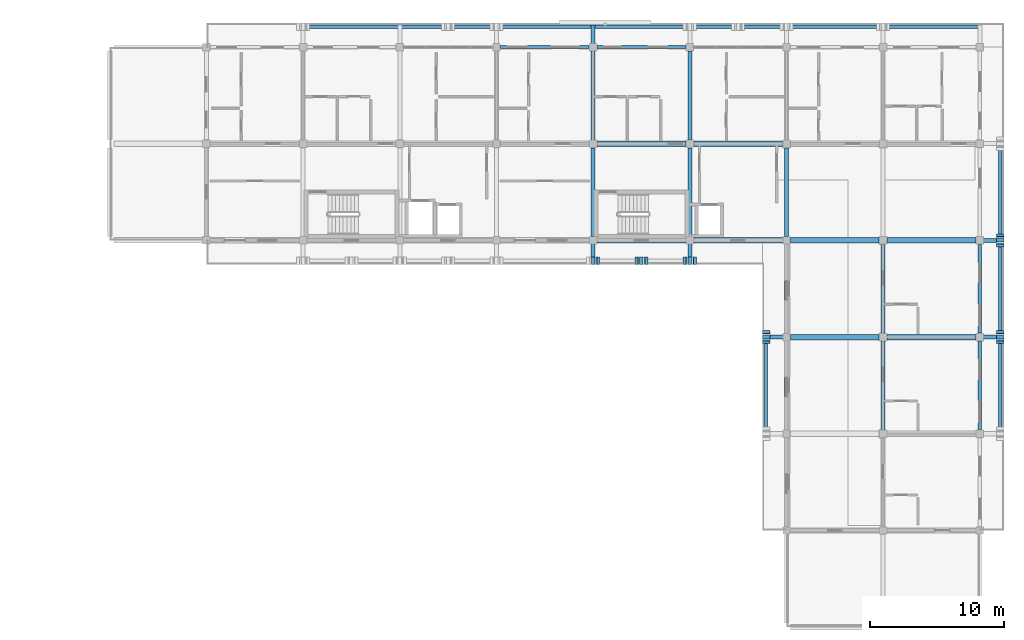
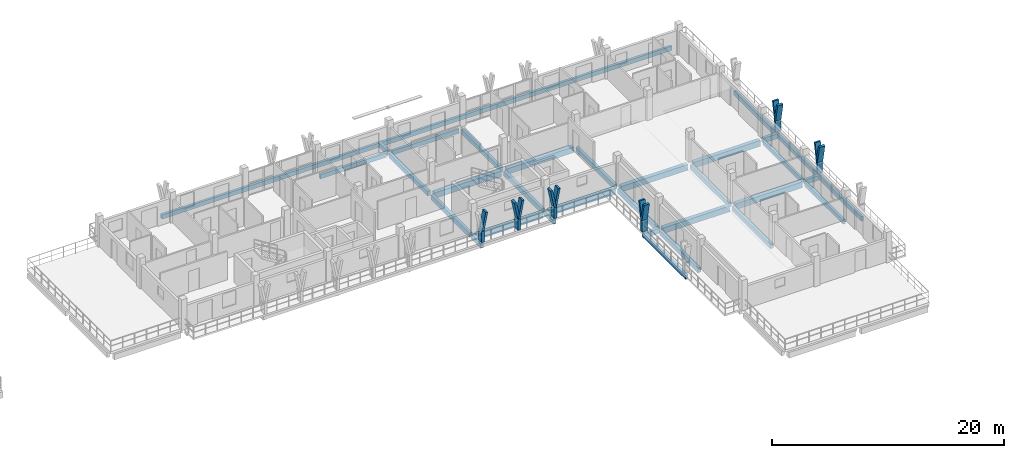
# One storey, part 26 of 73: 30 beams, 17 members.
"""IFC4 building model written with IfcOpenShell, lengths in metres."""

from ifc_helpers import new_model, si_unit, direction, frame, origin, origin_2d, place, context, subcontext, project, spatial, rectangle, extrude, material, material_profile, profile_set, type_object, element, save


model = new_model("IFC4")

# Units and contexts
model_context = context("Model", 3, precision=1e-05, world=origin(), true_north=direction((0.0, 1.0)))
body_context = subcontext(model_context, "Body", "Model", "MODEL_VIEW")
ifc_project = project(units=[si_unit("LENGTHUNIT", "METRE"), si_unit("AREAUNIT", "SQUARE_METRE"), si_unit("VOLUMEUNIT", "CUBIC_METRE"), si_unit("PLANEANGLEUNIT", "RADIAN"), si_unit("MASSUNIT", "GRAM", prefix="KILO")], contexts=[model_context])

# Site, building, storey
site_placement = place(None, origin())
site = spatial("IfcSite", under=ifc_project, at=site_placement, CompositionType="ELEMENT")
building_placement = place(site_placement, origin())
building = spatial("IfcBuilding", under=site, at=building_placement, Name="Suanplinth Sawtooth Commons", CompositionType="ELEMENT")
storey_placement = place(building_placement, frame((0.0, 0.0, 21.89990234375)))
storey = spatial("IfcBuildingStorey", under=building, at=storey_placement, Name="L06", CompositionType="ELEMENT", Elevation=21.89990234375)

# Beams
ifc_material_1 = material(Name="Precast concrete C40/50", Category="concrete")
ifc_material_profile_1 = material_profile(ifc_material_1, rectangle(XDim=0.39990234375, YDim=0.60009765625, at=origin_2d()), Name="PC-GDR 400x600")
ifc_profile_set_1 = profile_set([ifc_material_profile_1], Name="Precast concrete C40/50")
beam_type_1 = type_object("IfcBeamType", Name="B-05", PredefinedType="USERDEFINED", material=ifc_profile_set_1)
for number, where, z_axis, x_axis, name in (
    (1, (158.699951171875, 108.0, -0.539794921875), (1.0, 0.0, 0.0), (0.0, 1.0, 0.0), "BMX-L06-B-22-15"),
    (2, (158.699951171875, 115.199951171875, -0.539794921875), (1.0, 0.0, 0.0), (0.0, 1.0, 0.0), "BMX-L06-B-22-16"),
    (3, (165.89990234375, 108.0, -0.539794921875), (1.0, 0.0, 0.0), (0.0, 1.0, 0.0), "BMX-L06-B-23-15"),
    (4, (165.89990234375, 115.199951171875, -0.539794921875), (1.0, 0.0, 0.0), (0.0, 1.0, 0.0), "BMX-L06-B-23-16"),
):
    element("IfcBeam", number, at=place(storey_placement, frame(where, z_axis=z_axis, x_axis=x_axis)), inside=storey, type_object=beam_type_1, Name=name, ObjectType="GIRDER", PredefinedType="USERDEFINED", context=body_context, shape_type="SweptSolid", body=[
        extrude(rectangle(XDim=0.39990234375, YDim=0.60009765625, at=origin_2d()), origin(), (0.0, 0.0, 1.0), 6.60009765625),
    ])
for number, where, z_axis, x_axis, name in (
    (5, (173.10009765625, 100.800048828125, -0.539794921875), (1.0, 0.0, 0.0), (0.0, 1.0, 0.0), "BMX-L06-B-24-14"),
    (6, (173.10009765625, 108.0, -0.539794921875), (1.0, 0.0, 0.0), (0.0, 1.0, 0.0), "BMX-L06-B-24-15"),
    (7, (180.300048828125, 100.800048828125, -0.539794921875), (1.0, 0.0, 0.0), (0.0, 1.0, 0.0), "BMX-L06-B-25-14"),
    (8, (180.300048828125, 108.0, -0.539794921875), (1.0, 0.0, 0.0), (0.0, 1.0, 0.0), "BMX-L06-B-25-15"),
):
    element("IfcBeam", number, at=place(storey_placement, frame(where, z_axis=z_axis, x_axis=x_axis)), inside=storey, type_object=beam_type_1, Name=name, ObjectType="GIRDER", PredefinedType="USERDEFINED", context=body_context, shape_type="SweptSolid", body=[
        extrude(rectangle(XDim=0.39990234375, YDim=0.60009765625, at=origin_2d()), origin(), (0.0, 0.0, 1.0), 6.599853515625),
    ])
ifc_material_profile_2 = material_profile(ifc_material_1, rectangle(XDim=0.300048828125, YDim=0.5, at=origin_2d()), Name="PC-BM 300x500")
ifc_profile_set_2 = profile_set([ifc_material_profile_2], Name="Precast concrete C40/50")
beam_type_2 = type_object("IfcBeamType", Name="B-07", PredefinedType="BEAM", material=ifc_profile_set_2)
beam_1_placement = place(storey_placement, frame((158.39990234375, 108.300048828125, -0.489990234375), z_axis=(0.0, 1.0, 0.0), x_axis=(-1.0, 0.0, 0.0)))
element("IfcBeam", 9, at=beam_1_placement, inside=storey, type_object=beam_type_2, Name="BMY-L06-B-22-15", PredefinedType="BEAM", context=body_context, shape_type="SweptSolid", body=[
    extrude(rectangle(XDim=0.300048828125, YDim=0.5, at=origin_2d()), origin(), (0.0, 0.0, 1.0), 6.599853515625),
])
beam_2_placement = place(storey_placement, frame((158.39990234375, 115.5, -0.489990234375), z_axis=(0.0, 1.0, 0.0), x_axis=(-1.0, 0.0, 0.0)))
element("IfcBeam", 10, at=beam_2_placement, inside=storey, type_object=beam_type_2, Name="BMY-L06-B-22-16", PredefinedType="BEAM", context=body_context, shape_type="SweptSolid", body=[
    extrude(rectangle(XDim=0.300048828125, YDim=0.5, at=origin_2d()), origin(), (0.0, 0.0, 1.0), 6.60009765625),
])
beam_3_placement = place(storey_placement, frame((165.60009765625, 108.300048828125, -0.489990234375), z_axis=(0.0, 1.0, 0.0), x_axis=(-1.0, 0.0, 0.0)))
element("IfcBeam", 11, at=beam_3_placement, inside=storey, type_object=beam_type_2, Name="BMY-L06-B-23-15", PredefinedType="BEAM", context=body_context, shape_type="SweptSolid", body=[
    extrude(rectangle(XDim=0.300048828125, YDim=0.5, at=origin_2d()), origin(), (0.0, 0.0, 1.0), 6.599853515625),
])
for number, where, z_axis, x_axis, name in (
    (12, (165.60009765625, 115.5, -0.489990234375), (0.0, 1.0, 0.0), (-1.0, 0.0, 0.0), "BMY-L06-B-23-16"),
    (13, (172.800048828125, 93.89990234375, -0.489990234375), (0.0, 1.0, 0.0), (-1.0, 0.0, 0.0), "BMY-L06-B-24-13"),
):
    element("IfcBeam", number, at=place(storey_placement, frame(where, z_axis=z_axis, x_axis=x_axis)), inside=storey, type_object=beam_type_2, Name=name, PredefinedType="BEAM", context=body_context, shape_type="SweptSolid", body=[
        extrude(rectangle(XDim=0.300048828125, YDim=0.5, at=origin_2d()), origin(), (0.0, 0.0, 1.0), 6.60009765625),
    ])
for number, where, z_axis, x_axis, name in (
    (14, (172.800048828125, 101.10009765625, -0.489990234375), (0.0, 1.0, 0.0), (-1.0, 0.0, 0.0), "BMY-L06-B-24-14"),
    (15, (172.800048828125, 108.300048828125, -0.489990234375), (0.0, 1.0, 0.0), (-1.0, 0.0, 0.0), "BMY-L06-B-24-15"),
):
    element("IfcBeam", number, at=place(storey_placement, frame(where, z_axis=z_axis, x_axis=x_axis)), inside=storey, type_object=beam_type_2, Name=name, PredefinedType="BEAM", context=body_context, shape_type="SweptSolid", body=[
        extrude(rectangle(XDim=0.300048828125, YDim=0.5, at=origin_2d()), origin(), (0.0, 0.0, 1.0), 6.599853515625),
    ])
beam_4_placement = place(storey_placement, frame((180.0, 93.89990234375, -0.489990234375), z_axis=(0.0, 1.0, 0.0), x_axis=(-1.0, 0.0, 0.0)))
element("IfcBeam", 16, at=beam_4_placement, inside=storey, type_object=beam_type_2, Name="BMY-L06-B-25-13", PredefinedType="BEAM", context=body_context, shape_type="SweptSolid", body=[
    extrude(rectangle(XDim=0.300048828125, YDim=0.5, at=origin_2d()), origin(), (0.0, 0.0, 1.0), 6.60009765625),
])
beam_5_placement = place(storey_placement, frame((180.0, 101.10009765625, -0.489990234375), z_axis=(0.0, 1.0, 0.0), x_axis=(-1.0, 0.0, 0.0)))
element("IfcBeam", 17, at=beam_5_placement, inside=storey, type_object=beam_type_2, Name="BMY-L06-B-25-14", PredefinedType="BEAM", context=body_context, shape_type="SweptSolid", body=[
    extrude(rectangle(XDim=0.300048828125, YDim=0.5, at=origin_2d()), origin(), (0.0, 0.0, 1.0), 6.599853515625),
])
for number, where, z_axis, x_axis, name in (
    (18, (158.39990234375, 122.39990234375, -0.429931640625), (0.0, 1.0, 0.0), (-1.0, 0.0, 0.0), "Balcony Outrigger L06-B-N-22"),
    (19, (187.199951171875, 100.800048828125, -0.429931640625), (1.0, 0.0, 0.0), (0.0, 1.0, 0.0), "Balcony Outrigger L06-B-E-14"),
    (20, (187.199951171875, 108.0, -0.429931640625), (1.0, 0.0, 0.0), (0.0, 1.0, 0.0), "Balcony Outrigger L06-B-E-15"),
):
    element("IfcBeam", number, at=place(storey_placement, frame(where, z_axis=z_axis, x_axis=x_axis)), inside=storey, type_object=beam_type_2, Name=name, PredefinedType="BEAM", context=body_context, shape_type="SweptSolid", body=[
        extrude(rectangle(XDim=0.300048828125, YDim=0.5, at=origin_2d()), origin(), (0.0, 0.0, 1.0), 1.64013671875),
    ])
for number, where, z_axis, x_axis, name in (
    (21, (158.39990234375, 108.0, -0.4248046875), (0.0, -1.0, 0.0), (1.0, 0.0, 0.0), "Balcony Outrigger L06-B-SC-22"),
    (22, (165.60009765625, 108.0, -0.4248046875), (0.0, -1.0, 0.0), (1.0, 0.0, 0.0), "Balcony Outrigger L06-B-SC-23"),
):
    element("IfcBeam", number, at=place(storey_placement, frame(where, z_axis=z_axis, x_axis=x_axis)), inside=storey, type_object=beam_type_2, Name=name, PredefinedType="BEAM", context=body_context, shape_type="SweptSolid", body=[
        extrude(rectangle(XDim=0.300048828125, YDim=0.5, at=origin_2d()), origin(), (0.0, 0.0, 1.0), 1.639892578125),
    ])
beam_6_placement = place(storey_placement, frame((172.800048828125, 100.800048828125, -0.4248046875), z_axis=(-1.0, 0.0, 0.0), x_axis=(0.0, -1.0, 0.0)))
element("IfcBeam", 23, at=beam_6_placement, inside=storey, type_object=beam_type_2, Name="Balcony Outrigger L06-B-WC-14", PredefinedType="BEAM", context=body_context, shape_type="SweptSolid", body=[
    extrude(rectangle(XDim=0.300048828125, YDim=0.5, at=origin_2d()), origin(), (0.0, 0.0, 1.0), 1.64013671875),
])
ifc_material_profile_3 = material_profile(ifc_material_1, rectangle(XDim=0.25, YDim=0.449951171875, at=origin_2d()), Name="PC-SP 250x450")
ifc_profile_set_3 = profile_set([ifc_material_profile_3], Name="Precast concrete C40/50")
beam_type_3 = type_object("IfcBeamType", Name="B-09", PredefinedType="SPANDREL", material=ifc_profile_set_3)
for number, where, z_axis, x_axis, name in (
    (24, (151.5, 122.39990234375, -0.46484375), (1.0, 0.0, 0.0), (0.0, 1.0, 0.0), "BMX-L06-B-21-17"),
    (25, (158.699951171875, 122.39990234375, -0.46484375), (1.0, 0.0, 0.0), (0.0, 1.0, 0.0), "BMX-L06-B-22-17"),
    (26, (187.199951171875, 93.89990234375, -0.46484375), (0.0, 1.0, 0.0), (-1.0, 0.0, 0.0), "BMY-L06-B-26-13"),
):
    element("IfcBeam", number, at=place(storey_placement, frame(where, z_axis=z_axis, x_axis=x_axis)), inside=storey, type_object=beam_type_3, Name=name, PredefinedType="SPANDREL", context=body_context, shape_type="SweptSolid", body=[
        extrude(rectangle(XDim=0.25, YDim=0.449951171875, at=origin_2d()), origin(), (0.0, 0.0, 1.0), 6.60009765625),
    ])
beam_7_placement = place(storey_placement, frame((187.199951171875, 101.10009765625, -0.46484375), z_axis=(0.0, 1.0, 0.0), x_axis=(-1.0, 0.0, 0.0)))
element("IfcBeam", 27, at=beam_7_placement, inside=storey, type_object=beam_type_3, Name="BMY-L06-B-26-14", PredefinedType="SPANDREL", context=body_context, shape_type="SweptSolid", body=[
    extrude(rectangle(XDim=0.25, YDim=0.449951171875, at=origin_2d()), origin(), (0.0, 0.0, 1.0), 6.599853515625),
])
beam_8_placement = place(storey_placement, frame((136.64990234375, 123.919921875, -0.40478515625), z_axis=(1.0, 0.0, 0.0), x_axis=(0.0, 1.0, 0.0)))
element("IfcBeam", 28, at=beam_8_placement, inside=storey, type_object=beam_type_3, Name="Balcony Edge Fascia L06-B-N", PredefinedType="SPANDREL", context=body_context, shape_type="SweptSolid", body=[
    extrude(rectangle(XDim=0.25, YDim=0.449951171875, at=origin_2d()), origin(), (0.0, 0.0, 1.0), 50.7001953125),
])
beam_9_placement = place(storey_placement, frame((188.719970703125, 93.449951171875, -0.40478515625), z_axis=(0.0, 1.0, 0.0), x_axis=(-1.0, 0.0, 0.0)))
element("IfcBeam", 29, at=beam_9_placement, inside=storey, type_object=beam_type_3, Name="Balcony Edge Fascia L06-B-E", PredefinedType="SPANDREL", context=body_context, shape_type="SweptSolid", body=[
    extrude(rectangle(XDim=0.25, YDim=0.449951171875, at=origin_2d()), origin(), (0.0, 0.0, 1.0), 21.900146484375),
])
beam_10_placement = place(storey_placement, frame((171.280029296875, 93.449951171875, -0.39990234375), z_axis=(0.0, 1.0, 0.0), x_axis=(-1.0, 0.0, 0.0)))
element("IfcBeam", 30, at=beam_10_placement, inside=storey, type_object=beam_type_3, Name="Balcony Edge Fascia L06-B-WC", PredefinedType="SPANDREL", context=body_context, shape_type="SweptSolid", body=[
    extrude(rectangle(XDim=0.25, YDim=0.449951171875, at=origin_2d()), origin(), (0.0, 0.0, 1.0), 7.5),
])

# Members
ifc_material_2 = material(Name="Pigmented precast concrete C40/50", Category="concrete")
ifc_material_profile_4 = material_profile(ifc_material_2, rectangle(XDim=0.260009765625, YDim=0.550048828125, at=origin_2d()), Name="PC-FIN 260x550")
ifc_profile_set_4 = profile_set([ifc_material_profile_4], Name="Pigmented precast concrete C40/50")
member_type_1 = type_object("IfcMemberType", Name="M-09", PredefinedType="USERDEFINED", material=ifc_profile_set_4)
for number, where, z_axis, x_axis, name in (
    (31, (188.719970703125, 100.800048828125, 0.0), (0.0, 0.0, 1.0), (0.0, 1.0, 0.0), "Y-Blade Stem L06-B-E-09"),
    (32, (188.719970703125, 108.0, 0.0), (0.0, 0.0, 1.0), (0.0, 1.0, 0.0), "Y-Blade Stem L06-B-E-10"),
    (33, (158.39990234375, 106.47998046875, 0.0), (0.0, 0.0, 1.0), (1.0, 0.0, 0.0), "Y-Blade Stem L06-B-SC-17"),
    (34, (162.0, 106.47998046875, 0.0), (0.0, 0.0, 1.0), (1.0, 0.0, 0.0), "Y-Blade Stem L06-B-SC-18"),
    (35, (165.60009765625, 106.47998046875, 0.0), (0.0, 0.0, 1.0), (1.0, 0.0, 0.0), "Y-Blade Stem L06-B-SC-19"),
    (36, (171.280029296875, 100.800048828125, 0.0), (0.0, 0.0, 1.0), (0.0, 1.0, 0.0), "Y-Blade Stem L06-B-WC-21"),
):
    element("IfcMember", number, at=place(storey_placement, frame(where, z_axis=z_axis, x_axis=x_axis)), inside=storey, type_object=member_type_1, Name=name, ObjectType="SHADING FIN", PredefinedType="USERDEFINED", context=body_context, shape_type="SweptSolid", body=[
        extrude(rectangle(XDim=0.260009765625, YDim=0.550048828125, at=origin_2d()), origin(), (0.0, 0.0, 1.0), 1.170166015625),
    ])
ifc_material_profile_5 = material_profile(ifc_material_2, rectangle(XDim=0.219970703125, YDim=0.550048828125, at=origin_2d()), Name="PC-FIN 220x550")
ifc_profile_set_5 = profile_set([ifc_material_profile_5], Name="Pigmented precast concrete C40/50")
member_type_2 = type_object("IfcMemberType", Name="M-10", PredefinedType="USERDEFINED", material=ifc_profile_set_5)
member_1_placement = place(storey_placement, frame((188.719970703125, 100.800048828125, 1.130126953125), z_axis=(0.0, -0.196431120402, 0.980517626021), x_axis=(0.0, 0.980517626021, 0.196431120402)))
element("IfcMember", 37, at=member_1_placement, inside=storey, type_object=member_type_2, Name="Y-Blade Arm L L06-B-E-09", ObjectType="SHADING FIN", PredefinedType="USERDEFINED", context=body_context, shape_type="SweptSolid", body=[
    extrude(rectangle(XDim=0.219970703125, YDim=0.550048828125, at=origin_2d()), origin(), (0.0, 0.0, 1.0), 1.937744140625),
])
member_2_placement = place(storey_placement, frame((188.719970703125, 100.800048828125, 1.130126953125), z_axis=(0.0, 0.196309979414, 0.980541886909), x_axis=(0.0, -0.980541886909, 0.196309979414)))
element("IfcMember", 38, at=member_2_placement, inside=storey, type_object=member_type_2, Name="Y-Blade Arm R L06-B-E-09", ObjectType="SHADING FIN", PredefinedType="USERDEFINED", context=body_context, shape_type="SweptSolid", body=[
    extrude(rectangle(XDim=0.219970703125, YDim=0.550048828125, at=origin_2d()), origin(), (0.0, 0.0, 1.0), 1.9375),
])
for number, where, z_axis, x_axis, name in (
    (39, (188.719970703125, 108.0, 1.130126953125), (0.0, -0.196431120402, 0.980517626021), (0.0, 0.980517626021, 0.196431120402), "Y-Blade Arm L L06-B-E-10"),
    (40, (188.719970703125, 108.0, 1.130126953125), (0.0, 0.196431120402, 0.980517626021), (0.0, -0.980517626021, 0.196431120402), "Y-Blade Arm R L06-B-E-10"),
    (41, (158.39990234375, 106.47998046875, 1.130126953125), (0.196431120402, 0.0, 0.980517626021), (-0.980517626021, 0.0, 0.196431120402), "Y-Blade Arm R L06-B-SC-17"),
    (42, (162.0, 106.47998046875, 1.130126953125), (-0.196431120402, 0.0, 0.980517626021), (0.980517626021, 0.0, 0.196431120402), "Y-Blade Arm L L06-B-SC-18"),
    (43, (162.0, 106.47998046875, 1.130126953125), (0.196431120402, 0.0, 0.980517626021), (-0.980517626021, 0.0, 0.196431120402), "Y-Blade Arm R L06-B-SC-18"),
    (44, (165.60009765625, 106.47998046875, 1.130126953125), (-0.196431120402, 0.0, 0.980517626021), (0.980517626021, 0.0, 0.196431120402), "Y-Blade Arm L L06-B-SC-19"),
):
    element("IfcMember", number, at=place(storey_placement, frame(where, z_axis=z_axis, x_axis=x_axis)), inside=storey, type_object=member_type_2, Name=name, ObjectType="SHADING FIN", PredefinedType="USERDEFINED", context=body_context, shape_type="SweptSolid", body=[
        extrude(rectangle(XDim=0.219970703125, YDim=0.550048828125, at=origin_2d()), origin(), (0.0, 0.0, 1.0), 1.937744140625),
    ])
member_3_placement = place(storey_placement, frame((165.60009765625, 106.47998046875, 1.130126953125), z_axis=(0.196309979414, 0.0, 0.980541886909), x_axis=(-0.980541886909, 0.0, 0.196309979414)))
element("IfcMember", 45, at=member_3_placement, inside=storey, type_object=member_type_2, Name="Y-Blade Arm R L06-B-SC-19", ObjectType="SHADING FIN", PredefinedType="USERDEFINED", context=body_context, shape_type="SweptSolid", body=[
    extrude(rectangle(XDim=0.219970703125, YDim=0.550048828125, at=origin_2d()), origin(), (0.0, 0.0, 1.0), 1.9375),
])
member_4_placement = place(storey_placement, frame((171.280029296875, 100.800048828125, 1.130126953125), z_axis=(0.0, -0.196431120402, 0.980517626021), x_axis=(0.0, 0.980517626021, 0.196431120402)))
element("IfcMember", 46, at=member_4_placement, inside=storey, type_object=member_type_2, Name="Y-Blade Arm L L06-B-WC-21", ObjectType="SHADING FIN", PredefinedType="USERDEFINED", context=body_context, shape_type="SweptSolid", body=[
    extrude(rectangle(XDim=0.219970703125, YDim=0.550048828125, at=origin_2d()), origin(), (0.0, 0.0, 1.0), 1.937744140625),
])
member_5_placement = place(storey_placement, frame((171.280029296875, 100.800048828125, 1.130126953125), z_axis=(0.0, 0.196309979414, 0.980541886909), x_axis=(0.0, -0.980541886909, 0.196309979414)))
element("IfcMember", 47, at=member_5_placement, inside=storey, type_object=member_type_2, Name="Y-Blade Arm R L06-B-WC-21", ObjectType="SHADING FIN", PredefinedType="USERDEFINED", context=body_context, shape_type="SweptSolid", body=[
    extrude(rectangle(XDim=0.219970703125, YDim=0.550048828125, at=origin_2d()), origin(), (0.0, 0.0, 1.0), 1.9375),
])

save(model, "model.ifc")
